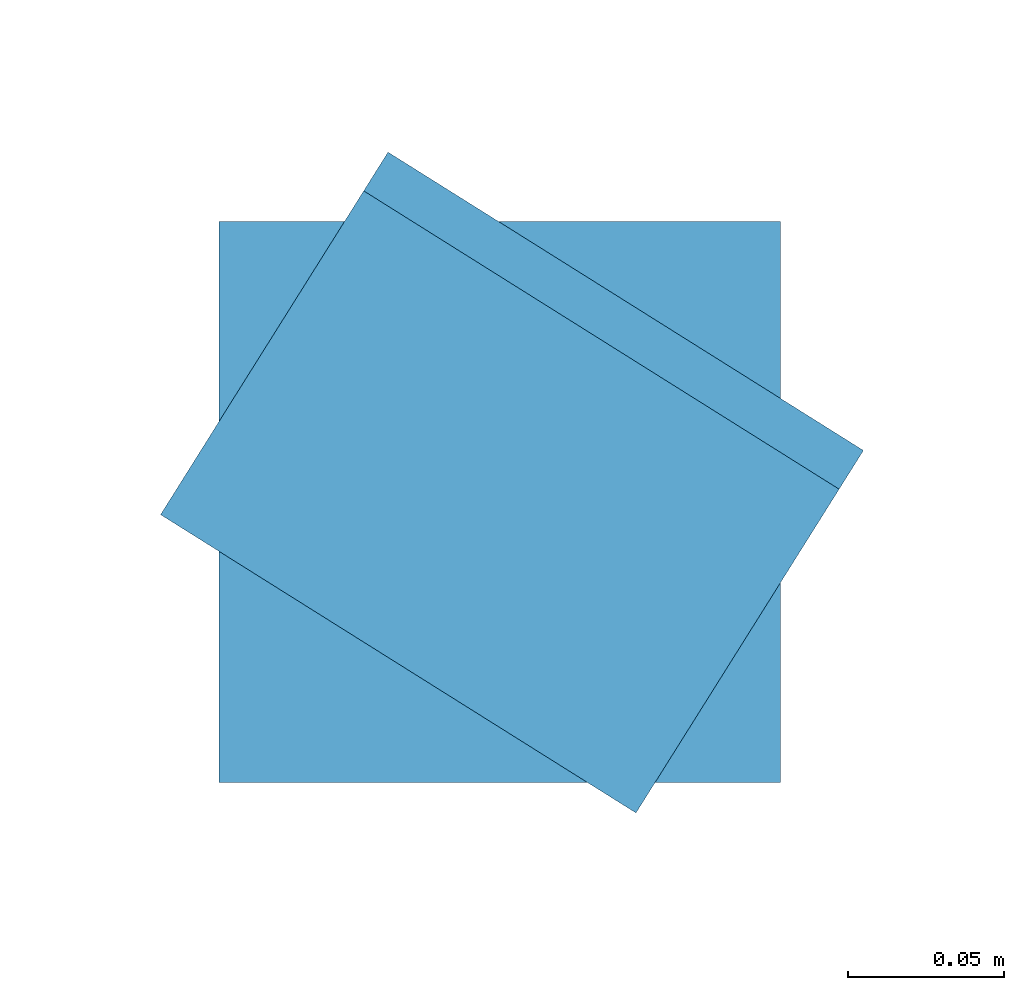
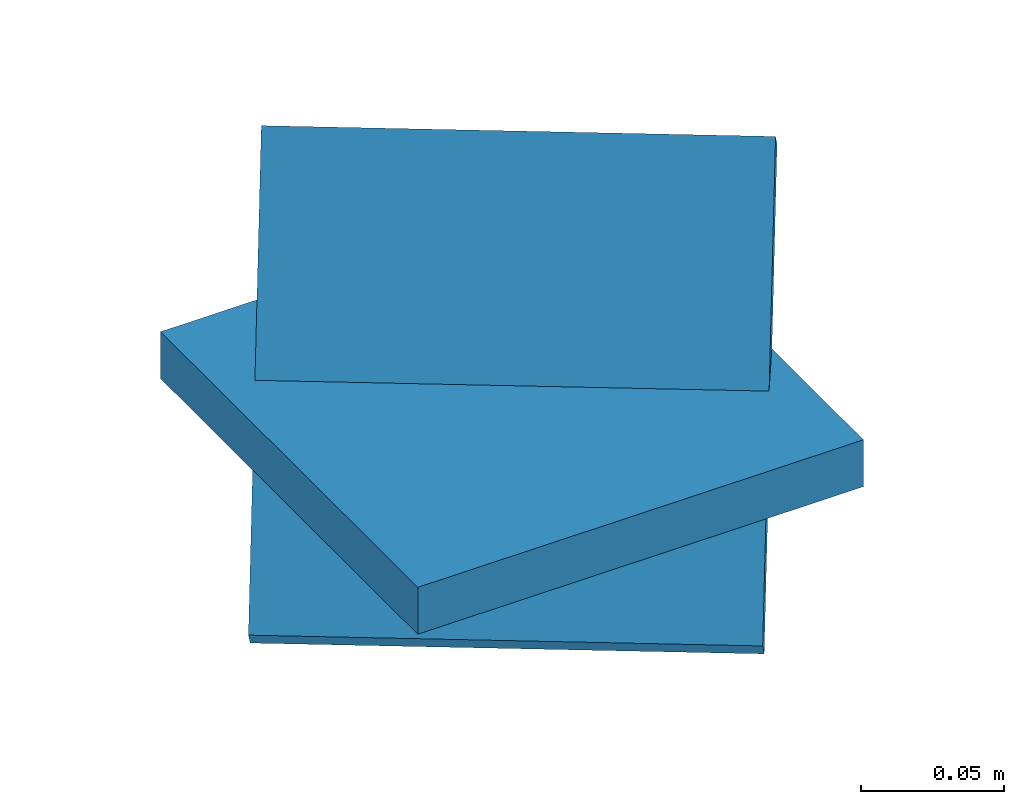
# One storey, part 103 of 173: 2 discrete accessories.
"""IFC4 building model written with IfcOpenShell, lengths in metres."""

from ifc_helpers import new_model, si_unit, direction, frame, origin, origin_2d, place, context, subcontext, project, spatial, rectangle, extrude, material, material_profile, profile_set, type_object, element, save


model = new_model("IFC4")

# Units and contexts
model_context = context("Model", 3, precision=1e-05, world=origin(), true_north=direction((0.0, 1.0)))
body_context = subcontext(model_context, "Body", "Model", "MODEL_VIEW")
ifc_project = project(units=[si_unit("LENGTHUNIT", "METRE"), si_unit("AREAUNIT", "SQUARE_METRE"), si_unit("VOLUMEUNIT", "CUBIC_METRE"), si_unit("PLANEANGLEUNIT", "RADIAN"), si_unit("MASSUNIT", "GRAM", prefix="KILO")], contexts=[model_context])

# Site, building, storey
site_placement = place(None, origin())
site = spatial("IfcSite", under=ifc_project, at=site_placement, CompositionType="ELEMENT")
building_placement = place(site_placement, origin())
building = spatial("IfcBuilding", under=site, at=building_placement, Name="Meseta Stadium", CompositionType="ELEMENT")
storey_placement = place(building_placement, frame((0.0, 0.0, 18.0)))
storey = spatial("IfcBuildingStorey", under=building, at=storey_placement, Name="L03", CompositionType="ELEMENT", Elevation=18.0)

# Discrete accessories
ifc_material = material(Name="Steel S355", Category="steel")
ifc_material_profile = material_profile(ifc_material, rectangle(XDim=0.179931640625, YDim=0.179931640625, at=origin_2d()), Name="PL 180x180")
ifc_profile_set = profile_set([ifc_material_profile], Name="Steel S355")
discrete_accessory_type = type_object("IfcDiscreteAccessoryType", Name="End plate 180x180x20", PredefinedType="ANCHORPLATE", material=ifc_profile_set)
for number, where, z_axis, x_axis, name in (
    (1, (-30.68212890625, -65.100341796875, 5.126953125), (0.0, 0.0, 1.0), (1.0, 0.0, 0.0), "End plate of ROOF TRUSS RT-43 post"),
    (2, (-30.67431640625, -65.087890625, 5.13330078125), (-0.389174620288, -0.620247051084, 0.681055585504), (0.847063894508, -0.531491071064, 0.0), "End plate of ROOF TRUSS RT-43 diagonal"),
):
    element("IfcDiscreteAccessory", number, at=place(storey_placement, frame(where, z_axis=z_axis, x_axis=x_axis)), inside=storey, type_object=discrete_accessory_type, Name=name, PredefinedType="ANCHORPLATE", context=body_context, shape_type="SweptSolid", body=[
        extrude(rectangle(XDim=0.179931640625, YDim=0.179931640625, at=origin_2d()), origin(), (0.0, 0.0, 1.0), 0.02001953125),
    ])

save(model, "model.ifc")
